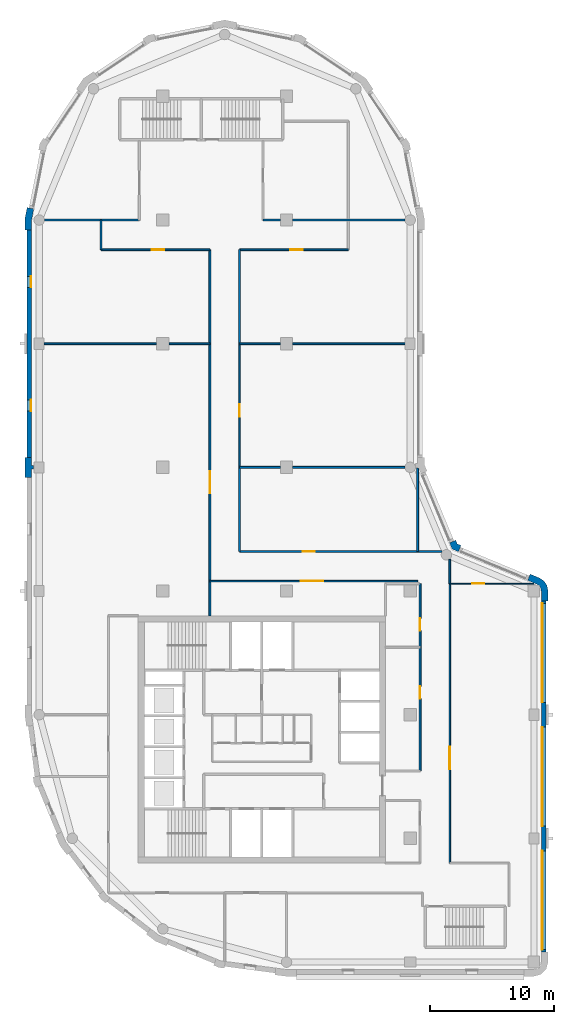
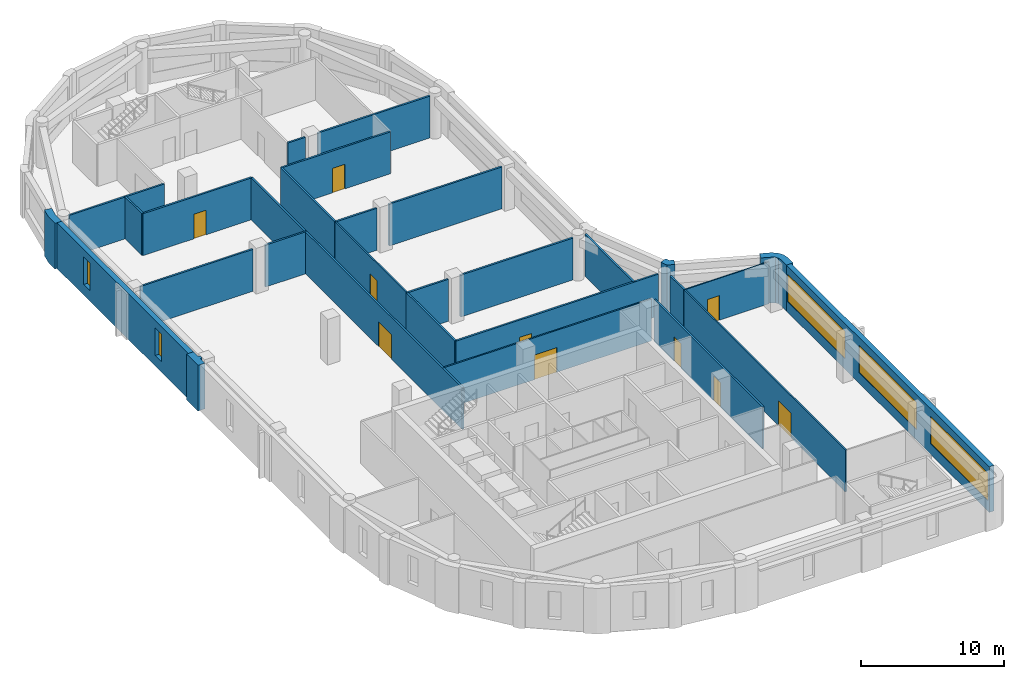
# One storey, part 4 of 8: 29 walls, 10 doors, 5 windows, 15 openings.
"""IFC4 building model written with IfcOpenShell, lengths in metres."""

from ifc_helpers import new_model, si_unit, direction, frame, frame_2d, origin, place, context, subcontext, project, spatial, polyline, rectangle, outline, extrude, material, layer, layer_set, type_object, element, fill, save


model = new_model("IFC4")

# Units and contexts
model_context = context("Model", 3, precision=1e-05, world=origin(), true_north=direction((0.0, 1.0)))
body_context = subcontext(model_context, "Body", "Model", "MODEL_VIEW")
ifc_project = project(units=[si_unit("LENGTHUNIT", "METRE"), si_unit("AREAUNIT", "SQUARE_METRE"), si_unit("VOLUMEUNIT", "CUBIC_METRE"), si_unit("PLANEANGLEUNIT", "RADIAN"), si_unit("MASSUNIT", "GRAM", prefix="KILO")], contexts=[model_context])

# Site, building, storey
site_placement = place(None, origin())
site = spatial("IfcSite", under=ifc_project, at=site_placement, CompositionType="ELEMENT")
building_placement = place(site_placement, origin())
building = spatial("IfcBuilding", under=site, at=building_placement, Name="Qaws Garden Tower", CompositionType="ELEMENT")
storey_placement = place(building_placement, frame((0.0, 0.0, 294.300048828125)))
storey = spatial("IfcBuildingStorey", under=building, at=storey_placement, Name="L71", CompositionType="ELEMENT", Elevation=294.300048828125)

# Wall
ifc_material_1 = material(Name="Clay facing brick masonry", Category="masonry")
ifc_layer_1 = layer(ifc_material_1, 0.550048828125)
ifc_layer_set_1 = layer_set([ifc_layer_1], Name="Clay facing brick masonry")
wall_type_1 = type_object("IfcWallType", Name="Brick corner pier 550 x 2400", PredefinedType="SOLIDWALL", material=ifc_layer_set_1)
placement = place(storey_placement, origin())
element("IfcWall", 1, at=placement, inside=storey, type_object=wall_type_1, Name="E-L71-pier-05", PredefinedType="SOLIDWALL", context=body_context, shape_type="SweptSolid", body=[
    extrude(outline(polyline([(41.0, 29.199951171875), (41.14990234375, 29.199951171875), (41.14990234375, 30.0), (41.0625, 30.440185546875), (40.813232421875, 30.813232421875), (40.440185546875, 31.0625), (39.700927734375, 31.36865234375), (39.6435546875, 31.22998046875), (39.490478515625, 30.860595703125), (40.2294921875, 30.554443359375), (40.42431640625, 30.42431640625), (40.554443359375, 30.2294921875), (40.60009765625, 30.0), (40.60009765625, 29.199951171875), (41.0, 29.199951171875)])), origin(), (0.0, 0.0, 1.0), 3.89990234375),
])

# Wall, openings, windows
ifc_material_2 = material(Name="Clay facing brick masonry", Category="masonry")
ifc_layer_2 = layer(ifc_material_2, 0.39990234375)
ifc_layer_set_2 = layer_set([ifc_layer_2], Name="Clay facing brick masonry")
wall_type_2 = type_object("IfcWallType", Name="Brick infill wall 400", PredefinedType="SOLIDWALL", material=ifc_layer_set_2)
wall_2_placement = place(storey_placement, frame((40.800048828125, 0.800048828125, 0.0), z_axis=(0.0, 0.0, 1.0), x_axis=(0.0, 1.0, 0.0)))
wall_2 = element("IfcWall", 2, at=wall_2_placement, inside=storey, type_object=wall_type_2, Name="E-L71-infill-02", PredefinedType="SOLIDWALL", context=body_context, shape_type="SweptSolid", body=[
    extrude(rectangle(XDim=28.39990234375, YDim=0.39990234375, at=frame_2d((14.199951171875, 0.0))), origin(), (0.0, 0.0, 1.0), 3.89990234375),
])
opening_1_placement = place(wall_2_placement, frame((0.199951171875, 0.0, 0.89990234375)))
opening_1 = element("IfcOpeningElement", 3, at=opening_1_placement, cuts=wall_2, Name="Opening W01", PredefinedType="OPENING", context=body_context, shape_type="SweptSolid", body=[
    extrude(rectangle(XDim=8.0, YDim=2.35009765625, at=frame_2d((4.0, 1.175048828125))), frame((0.0, 0.2099609375, 0.0), z_axis=(0.0, -1.0, 0.0), x_axis=(1.0, 0.0, 0.0)), (0.0, 0.0, 1.0), 0.419921875),
])
opening_2_placement = place(wall_2_placement, frame((10.199951171875, 0.0, 0.89990234375)))
opening_2 = element("IfcOpeningElement", 4, at=opening_2_placement, cuts=wall_2, Name="Opening W01", PredefinedType="OPENING", context=body_context, shape_type="SweptSolid", body=[
    extrude(rectangle(XDim=8.0, YDim=2.35009765625, at=frame_2d((4.0, 1.175048828125))), frame((0.0, 0.2099609375, 0.0), z_axis=(0.0, -1.0, 0.0), x_axis=(1.0, 0.0, 0.0)), (0.0, 0.0, 1.0), 0.419921875),
])
opening_3_placement = place(wall_2_placement, frame((20.199951171875, 0.0, 0.89990234375)))
opening_3 = element("IfcOpeningElement", 5, at=opening_3_placement, cuts=wall_2, Name="Opening W01", PredefinedType="OPENING", context=body_context, shape_type="SweptSolid", body=[
    extrude(rectangle(XDim=8.0, YDim=2.35009765625, at=frame_2d((4.0, 1.175048828125))), frame((0.0, 0.2099609375, 0.0), z_axis=(0.0, -1.0, 0.0), x_axis=(1.0, 0.0, 0.0)), (0.0, 0.0, 1.0), 0.419921875),
])
ifc_material_3 = material(Name="Aluminium framed window, clear glazing", Category="aluminium")
window_type_1 = type_object("IfcWindowType", Name="Ribbon window 8000 x 2350", PartitioningType="DOUBLE_PANEL_VERTICAL", PredefinedType="WINDOW", material=ifc_material_3)
window_1_placement = place(opening_1_placement, origin())
window_1 = element("IfcWindow", 6, at=window_1_placement, inside=storey, type_object=window_type_1, Name="E-L71-window-02-0", OverallHeight=2.35009765625, OverallWidth=8.0, PartitioningType="SINGLE_PANEL", PredefinedType="WINDOW", context=body_context, shape_type="SweptSolid", body=[
    extrude(rectangle(XDim=8.0, YDim=2.35009765625, at=frame_2d((4.0, 1.175048828125))), frame((0.0, 0.159912109375, 0.0), z_axis=(0.0, -1.0, 0.0), x_axis=(1.0, 0.0, 0.0)), (0.0, 0.0, 1.0), 0.06005859375),
])
fill(opening_1, window_1)
window_2_placement = place(opening_2_placement, origin())
window_2 = element("IfcWindow", 7, at=window_2_placement, inside=storey, type_object=window_type_1, Name="E-L71-window-03-0", OverallHeight=2.35009765625, OverallWidth=8.0, PartitioningType="SINGLE_PANEL", PredefinedType="WINDOW", context=body_context, shape_type="SweptSolid", body=[
    extrude(rectangle(XDim=8.0, YDim=2.35009765625, at=frame_2d((4.0, 1.175048828125))), frame((0.0, 0.159912109375, 0.0), z_axis=(0.0, -1.0, 0.0), x_axis=(1.0, 0.0, 0.0)), (0.0, 0.0, 1.0), 0.06005859375),
])
fill(opening_2, window_2)
window_3_placement = place(opening_3_placement, origin())
window_3 = element("IfcWindow", 8, at=window_3_placement, inside=storey, type_object=window_type_1, Name="E-L71-window-04-0", OverallHeight=2.35009765625, OverallWidth=8.0, PartitioningType="SINGLE_PANEL", PredefinedType="WINDOW", context=body_context, shape_type="SweptSolid", body=[
    extrude(rectangle(XDim=8.0, YDim=2.35009765625, at=frame_2d((4.0, 1.175048828125))), frame((0.0, 0.159912109375, 0.0), z_axis=(0.0, -1.0, 0.0), x_axis=(1.0, 0.0, 0.0)), (0.0, 0.0, 1.0), 0.06005859375),
])
fill(opening_3, window_3)

wall_3_placement = place(storey_placement, frame((-0.800048828125, 59.199951171875, 0.0), z_axis=(0.0, 0.0, 1.0), x_axis=(0.0, -1.0, 0.0)))
wall_3 = element("IfcWall", 9, at=wall_3_placement, inside=storey, type_object=wall_type_2, Name="E-L71-infill-17", PredefinedType="SOLIDWALL", context=body_context, shape_type="SweptSolid", body=[
    extrude(rectangle(XDim=18.39990234375, YDim=0.39990234375, at=frame_2d((9.199951171875, 0.0))), origin(), (0.0, 0.0, 1.0), 3.89990234375),
])
opening_4_placement = place(wall_3_placement, frame((3.75, 0.0, 0.89990234375)))
opening_4 = element("IfcOpeningElement", 10, at=opening_4_placement, cuts=wall_3, Name="Opening W09", PredefinedType="OPENING", context=body_context, shape_type="SweptSolid", body=[
    extrude(rectangle(XDim=0.89990234375, YDim=2.35009765625, at=frame_2d((0.449951171875, 1.175048828125))), frame((0.0, 0.2099609375, 0.0), z_axis=(0.0, -1.0, 0.0), x_axis=(1.0, 0.0, 0.0)), (0.0, 0.0, 1.0), 0.419921875),
])
opening_5_placement = place(wall_3_placement, frame((13.75, 0.0, 0.89990234375)))
opening_5 = element("IfcOpeningElement", 11, at=opening_5_placement, cuts=wall_3, Name="Opening W09", PredefinedType="OPENING", context=body_context, shape_type="SweptSolid", body=[
    extrude(rectangle(XDim=0.89990234375, YDim=2.35009765625, at=frame_2d((0.449951171875, 1.175048828125))), frame((0.0, 0.2099609375, 0.0), z_axis=(0.0, -1.0, 0.0), x_axis=(1.0, 0.0, 0.0)), (0.0, 0.0, 1.0), 0.419921875),
])
ifc_material_4 = material(Name="Aluminium framed window, clear glazing", Category="aluminium")
window_type_2 = type_object("IfcWindowType", Name="Slit window 900 x 2350", PartitioningType="SINGLE_PANEL", PredefinedType="WINDOW", material=ifc_material_4)
window_4_placement = place(opening_4_placement, origin())
window_4 = element("IfcWindow", 12, at=window_4_placement, inside=storey, type_object=window_type_2, Name="E-L71-window-17-0", OverallHeight=2.35009765625, OverallWidth=0.89990234375, PartitioningType="SINGLE_PANEL", PredefinedType="WINDOW", context=body_context, shape_type="SweptSolid", body=[
    extrude(rectangle(XDim=0.89990234375, YDim=2.35009765625, at=frame_2d((0.449951171875, 1.175048828125))), frame((0.0, 0.159912109375, 0.0), z_axis=(0.0, -1.0, 0.0), x_axis=(1.0, 0.0, 0.0)), (0.0, 0.0, 1.0), 0.06005859375),
])
fill(opening_4, window_4)
window_5_placement = place(opening_5_placement, origin())
window_5 = element("IfcWindow", 13, at=window_5_placement, inside=storey, type_object=window_type_2, Name="E-L71-window-18-0", OverallHeight=2.35009765625, OverallWidth=0.89990234375, PartitioningType="SINGLE_PANEL", PredefinedType="WINDOW", context=body_context, shape_type="SweptSolid", body=[
    extrude(rectangle(XDim=0.89990234375, YDim=2.35009765625, at=frame_2d((0.449951171875, 1.175048828125))), frame((0.0, 0.159912109375, 0.0), z_axis=(0.0, -1.0, 0.0), x_axis=(1.0, 0.0, 0.0)), (0.0, 0.0, 1.0), 0.06005859375),
])
fill(opening_5, window_5)

# Walls
ifc_material_5 = material(Name="Clay facing brick masonry", Category="masonry")
ifc_layer_3 = layer(ifc_material_5, 0.550048828125)
ifc_layer_set_3 = layer_set([ifc_layer_3], Name="Clay facing brick masonry")
wall_type_3 = type_object("IfcWallType", Name="Brick pier 550 x 1600", PredefinedType="SOLIDWALL", material=ifc_layer_set_3)
element("IfcWall", 14, at=placement, inside=storey, type_object=wall_type_3, Name="E-L71-pier-06", PredefinedType="SOLIDWALL", context=body_context, shape_type="SweptSolid", body=[
    extrude(outline(polyline([(34.05078125, 33.546630859375), (34.108154296875, 33.685302734375), (33.80908203125, 33.80908203125), (33.685302734375, 34.108154296875), (33.546630859375, 34.05078125), (33.177001953125, 33.897705078125), (33.38818359375, 33.38818359375), (33.897705078125, 33.177001953125), (34.05078125, 33.546630859375)])), origin(), (0.0, 0.0, 1.0), 3.89990234375),
])
element("IfcWall", 15, at=placement, inside=storey, type_object=wall_type_3, Name="E-L71-pier-17", PredefinedType="SOLIDWALL", context=body_context, shape_type="SweptSolid", body=[
    extrude(outline(polyline([(-0.82470703125, 60.979736328125), (-0.971923828125, 61.009033203125), (-1.14990234375, 60.11328125), (-1.14990234375, 59.199951171875), (-1.0, 59.199951171875), (-0.60009765625, 59.199951171875), (-0.60009765625, 60.05908203125), (-0.432373046875, 60.901611328125), (-0.82470703125, 60.979736328125)])), origin(), (0.0, 0.0, 1.0), 3.89990234375),
])
element("IfcWall", 16, at=placement, inside=storey, type_object=wall_type_3, Name="E-L71-pier-19", PredefinedType="SOLIDWALL", context=body_context, shape_type="SweptSolid", body=[
    extrude(outline(polyline([(-0.60009765625, 39.199951171875), (-0.60009765625, 39.85009765625), (-0.449951171875, 39.85009765625), (-0.449951171875, 40.14990234375), (-0.60009765625, 40.14990234375), (-0.60009765625, 40.800048828125), (-1.0, 40.800048828125), (-1.14990234375, 40.800048828125), (-1.14990234375, 40.0), (-1.14990234375, 39.199951171875), (-1.0, 39.199951171875), (-0.60009765625, 39.199951171875)])), origin(), (0.0, 0.0, 1.0), 3.89990234375),
])

# Wall, opening, door
ifc_material_6 = material(Name="Glass and aluminium framing", Category="aluminium")
ifc_layer_4 = layer(ifc_material_6, 0.1201171875)
ifc_layer_set_4 = layer_set([ifc_layer_4], Name="Glass and aluminium framing")
wall_type_4 = type_object("IfcWallType", Name="GLAZED PARTITION 120 EI 30", PredefinedType="PARTITIONING", material=ifc_layer_set_4)
wall_7_placement = place(storey_placement, frame((16.199951171875, 40.0, 0.0), z_axis=(0.0, 0.0, 1.0), x_axis=(0.0, 1.0, 0.0)))
wall_7 = element("IfcWall", 17, at=wall_7_placement, inside=storey, type_object=wall_type_4, Name="O-L71-wall-036", PredefinedType="PARTITIONING", context=body_context, shape_type="SweptSolid", body=[
    extrude(rectangle(XDim=10.0, YDim=0.1201171875, at=frame_2d((5.0, 0.0))), origin(), (0.0, 0.0, 1.0), 3.579833984375),
])
opening_6_placement = place(wall_7_placement, frame((4.10009765625, 0.0, 0.0)))
opening_6 = element("IfcOpeningElement", 18, at=opening_6_placement, cuts=wall_7, Name="Opening C604", PredefinedType="OPENING", context=body_context, shape_type="SweptSolid", body=[
    extrude(rectangle(XDim=1.0, YDim=2.10009765625, at=frame_2d((0.5, 1.050048828125))), frame((0.0, 0.070068359375, 0.0), z_axis=(0.0, -1.0, 0.0), x_axis=(1.0, 0.0, 0.0)), (0.0, 0.0, 1.0), 0.14013671875),
])
ifc_material_7 = material(Name="Timber door leaf", Category="wood")
door_type_1 = type_object("IfcDoorType", Name="TENANCY ENTRANCE DOOR 1000 X 2100", OperationType="SINGLE_SWING_LEFT", PredefinedType="DOOR", material=ifc_material_7)
door_1_placement = place(opening_6_placement, frame((1.0, 0.0, 0.0), z_axis=(0.0, 0.0, 1.0), x_axis=(-1.0, 0.0, 0.0)))
door_1 = element("IfcDoor", 19, at=door_1_placement, inside=storey, type_object=door_type_1, Name="O-L71-door-004", OperationType="SINGLE_SWING_RIGHT", OverallHeight=2.10009765625, OverallWidth=1.0, PredefinedType="DOOR", context=body_context, shape_type="SweptSolid", body=[
    extrude(rectangle(XDim=1.0, YDim=2.10009765625, at=frame_2d((0.5, 1.050048828125))), frame((0.0, 0.02490234375, 0.0), z_axis=(0.0, -1.0, 0.0), x_axis=(1.0, 0.0, 0.0)), (0.0, 0.0, 1.0), 0.050048828125),
])
fill(opening_6, door_1)

wall_8_placement = place(storey_placement, frame((33.199951171875, 8.0, 0.0), z_axis=(0.0, 0.0, 1.0), x_axis=(0.0, 1.0, 0.0)))
wall_8 = element("IfcWall", 20, at=wall_8_placement, inside=storey, type_object=wall_type_4, Name="O-L71-wall-039", PredefinedType="PARTITIONING", context=body_context, shape_type="SweptSolid", body=[
    extrude(rectangle(XDim=22.60009765625, YDim=0.1201171875, at=frame_2d((11.300048828125, 0.0))), origin(), (0.0, 0.0, 1.0), 3.579833984375),
])
opening_7_placement = place(wall_8_placement, frame((7.60009765625, 0.0, 0.0)))
opening_7 = element("IfcOpeningElement", 21, at=opening_7_placement, cuts=wall_8, Name="Opening C613", PredefinedType="OPENING", context=body_context, shape_type="SweptSolid", body=[
    extrude(rectangle(XDim=1.800048828125, YDim=2.10009765625, at=frame_2d((0.89990234375, 1.050048828125))), frame((0.0, 0.070068359375, 0.0), z_axis=(0.0, -1.0, 0.0), x_axis=(1.0, 0.0, 0.0)), (0.0, 0.0, 1.0), 0.14013671875),
])
ifc_material_8 = material(Name="Timber door leaf", Category="wood")
door_type_2 = type_object("IfcDoorType", Name="DOUBLE DOOR 1800 X 2100", OperationType="DOUBLE_DOOR_SINGLE_SWING", PredefinedType="DOOR", material=ifc_material_8)
door_2_placement = place(opening_7_placement, frame((1.800048828125, 0.0, 0.0), z_axis=(0.0, 0.0, 1.0), x_axis=(-1.0, 0.0, 0.0)))
door_2 = element("IfcDoor", 22, at=door_2_placement, inside=storey, type_object=door_type_2, Name="O-L71-door-013", OperationType="DOUBLE_DOOR_SINGLE_SWING", OverallHeight=2.10009765625, OverallWidth=1.800048828125, PredefinedType="DOOR", context=body_context, shape_type="SweptSolid", body=[
    extrude(rectangle(XDim=1.800048828125, YDim=2.10009765625, at=frame_2d((0.89990234375, 1.050048828125))), frame((0.0, 0.02490234375, 0.0), z_axis=(0.0, -1.0, 0.0), x_axis=(1.0, 0.0, 0.0)), (0.0, 0.0, 1.0), 0.050048828125),
])
fill(opening_7, door_2)

wall_9_placement = place(storey_placement, frame((13.802001953125, 30.800048828125, 0.0), z_axis=(0.0, 0.0, 1.0), x_axis=(1.0, 0.0, 0.0)))
wall_9 = element("IfcWall", 23, at=wall_9_placement, inside=storey, type_object=wall_type_4, Name="O-L71-wall-046", PredefinedType="PARTITIONING", context=body_context, shape_type="SweptSolid", body=[
    extrude(rectangle(XDim=16.798095703125, YDim=0.1201171875, at=frame_2d((8.39892578125, 0.0))), origin(), (0.0, 0.0, 1.0), 3.579833984375),
])
opening_8_placement = place(wall_9_placement, frame((7.35009765625, 0.0, 0.0)))
opening_8 = element("IfcOpeningElement", 24, at=opening_8_placement, cuts=wall_9, Name="Opening C608", PredefinedType="OPENING", context=body_context, shape_type="SweptSolid", body=[
    extrude(rectangle(XDim=1.800048828125, YDim=2.10009765625, at=frame_2d((0.89990234375, 1.050048828125))), frame((0.0, 0.070068359375, 0.0), z_axis=(0.0, -1.0, 0.0), x_axis=(1.0, 0.0, 0.0)), (0.0, 0.0, 1.0), 0.14013671875),
])
door_3_placement = place(opening_8_placement, frame((1.800048828125, 0.0, 0.0), z_axis=(0.0, 0.0, 1.0), x_axis=(-1.0, 0.0, 0.0)))
door_3 = element("IfcDoor", 25, at=door_3_placement, inside=storey, type_object=door_type_2, Name="O-L71-door-008", OperationType="DOUBLE_DOOR_SINGLE_SWING", OverallHeight=2.10009765625, OverallWidth=1.800048828125, PredefinedType="DOOR", context=body_context, shape_type="SweptSolid", body=[
    extrude(rectangle(XDim=1.800048828125, YDim=2.10009765625, at=frame_2d((0.89990234375, 1.050048828125))), frame((0.0, 0.02490234375, 0.0), z_axis=(0.0, -1.0, 0.0), x_axis=(1.0, 0.0, 0.0)), (0.0, 0.0, 1.0), 0.050048828125),
])
fill(opening_8, door_3)

ifc_material_9 = material(Name="Gypsum board partition")
ifc_layer_5 = layer(ifc_material_9, 0.10009765625)
ifc_layer_set_5 = layer_set([ifc_layer_5], Name="Gypsum board partition")
wall_type_5 = type_object("IfcWallType", Name="PARTITION 100", PredefinedType="PARTITIONING", material=ifc_layer_set_5)
wall_10_placement = place(storey_placement, frame((33.199951171875, 30.60009765625, 0.0), z_axis=(0.0, 0.0, 1.0), x_axis=(1.0, 0.0, 0.0)))
wall_10 = element("IfcWall", 26, at=wall_10_placement, inside=storey, type_object=wall_type_5, Name="O-L71-wall-001", PredefinedType="PARTITIONING", context=body_context, shape_type="SweptSolid", body=[
    extrude(rectangle(XDim=6.798583984375, YDim=0.10009765625, at=frame_2d((3.3994140625, 0.0))), origin(), (0.0, 0.0, 1.0), 3.579833984375),
])
opening_9_placement = place(wall_10_placement, frame((1.824951171875, 0.0, 0.0)))
opening_9 = element("IfcOpeningElement", 27, at=opening_9_placement, cuts=wall_10, Name="Opening C617", PredefinedType="OPENING", context=body_context, shape_type="SweptSolid", body=[
    extrude(rectangle(XDim=0.949951171875, YDim=2.10009765625, at=frame_2d((0.47509765625, 1.050048828125))), frame((0.0, 0.06005859375, 0.0), z_axis=(0.0, -1.0, 0.0), x_axis=(1.0, 0.0, 0.0)), (0.0, 0.0, 1.0), 0.1201171875),
])
ifc_material_10 = material(Name="Timber and glass door leaf", Category="wood")
door_type_3 = type_object("IfcDoorType", Name="GLAZED DOOR 950 X 2100", OperationType="SINGLE_SWING_LEFT", PredefinedType="DOOR", material=ifc_material_10)
door_4_placement = place(opening_9_placement, origin())
door_4 = element("IfcDoor", 28, at=door_4_placement, inside=storey, type_object=door_type_3, Name="O-L71-door-017", OperationType="SINGLE_SWING_LEFT", OverallHeight=2.10009765625, OverallWidth=0.949951171875, PredefinedType="DOOR", context=body_context, shape_type="SweptSolid", body=[
    extrude(rectangle(XDim=0.949951171875, YDim=2.10009765625, at=frame_2d((0.47509765625, 1.050048828125))), frame((0.0, 0.02490234375, 0.0), z_axis=(0.0, -1.0, 0.0), x_axis=(1.0, 0.0, 0.0)), (0.0, 0.0, 1.0), 0.050048828125),
])
fill(opening_9, door_4)

# Wall
ifc_material_11 = material(Name="Gypsum board partition")
ifc_layer_6 = layer(ifc_material_11, 0.14990234375)
ifc_layer_set_6 = layer_set([ifc_layer_6], Name="Gypsum board partition")
wall_type_6 = type_object("IfcWallType", Name="PARTITION 150 EI 60", PredefinedType="PARTITIONING", material=ifc_layer_set_6)
wall_11_placement = place(storey_placement, frame((5.0, 57.60009765625, 0.0), z_axis=(0.0, 0.0, 1.0), x_axis=(0.0, 1.0, 0.0)))
element("IfcWall", 29, at=wall_11_placement, inside=storey, type_object=wall_type_6, Name="O-L71-wall-002", PredefinedType="PARTITIONING", context=body_context, shape_type="SweptSolid", body=[
    extrude(rectangle(XDim=2.39990234375, YDim=0.14990234375, at=frame_2d((1.199951171875, 0.0))), origin(), (0.0, 0.0, 1.0), 3.579833984375),
])

# Wall, opening, door
wall_12_placement = place(storey_placement, frame((13.800048828125, 28.0, 0.0), z_axis=(0.0, 0.0, 1.0), x_axis=(0.0, 1.0, 0.0)))
wall_12 = element("IfcWall", 30, at=wall_12_placement, inside=storey, type_object=wall_type_6, Name="O-L71-wall-005", PredefinedType="PARTITIONING", context=body_context, shape_type="SweptSolid", body=[
    extrude(rectangle(XDim=29.60009765625, YDim=0.14990234375, at=frame_2d((14.800048828125, 0.0))), origin(), (0.0, 0.0, 1.0), 3.579833984375),
])
opening_10_placement = place(wall_12_placement, frame((9.90087890625, 0.0, 0.0)))
opening_10 = element("IfcOpeningElement", 31, at=opening_10_placement, cuts=wall_12, Name="Opening C615", PredefinedType="OPENING", context=body_context, shape_type="SweptSolid", body=[
    extrude(rectangle(XDim=1.800048828125, YDim=2.10009765625, at=frame_2d((0.89990234375, 1.050048828125))), frame((0.0, 0.0849609375, 0.0), z_axis=(0.0, -1.0, 0.0), x_axis=(1.0, 0.0, 0.0)), (0.0, 0.0, 1.0), 0.169921875),
])
door_5_placement = place(opening_10_placement, origin())
door_5 = element("IfcDoor", 32, at=door_5_placement, inside=storey, type_object=door_type_2, Name="O-L71-door-015", OperationType="DOUBLE_DOOR_SINGLE_SWING", OverallHeight=2.10009765625, OverallWidth=1.800048828125, PredefinedType="DOOR", context=body_context, shape_type="SweptSolid", body=[
    extrude(rectangle(XDim=1.800048828125, YDim=2.10009765625, at=frame_2d((0.89990234375, 1.050048828125))), frame((0.0, 0.02490234375, 0.0), z_axis=(0.0, -1.0, 0.0), x_axis=(1.0, 0.0, 0.0)), (0.0, 0.0, 1.0), 0.050048828125),
])
fill(opening_10, door_5)

# Walls
wall_13_placement = place(storey_placement, frame((16.199951171875, 33.199951171875, 0.0), z_axis=(0.0, 0.0, 1.0), x_axis=(0.0, 1.0, 0.0)))
element("IfcWall", 33, at=wall_13_placement, inside=storey, type_object=wall_type_6, Name="O-L71-wall-007", PredefinedType="PARTITIONING", context=body_context, shape_type="SweptSolid", body=[
    extrude(rectangle(XDim=6.800048828125, YDim=0.14990234375, at=frame_2d((3.39990234375, 0.0))), origin(), (0.0, 0.0, 1.0), 3.579833984375),
])
wall_14_placement = place(storey_placement, frame((16.199951171875, 50.0, 0.0), z_axis=(0.0, 0.0, 1.0), x_axis=(0.0, 1.0, 0.0)))
element("IfcWall", 34, at=wall_14_placement, inside=storey, type_object=wall_type_6, Name="O-L71-wall-008", PredefinedType="PARTITIONING", context=body_context, shape_type="SweptSolid", body=[
    extrude(rectangle(XDim=7.60009765625, YDim=0.14990234375, at=frame_2d((3.800048828125, 0.0))), origin(), (0.0, 0.0, 1.0), 3.579833984375),
])
wall_15_placement = place(storey_placement, frame((30.60009765625, 33.199951171875, 0.0), z_axis=(0.0, 0.0, 1.0), x_axis=(0.0, 1.0, 0.0)))
element("IfcWall", 35, at=wall_15_placement, inside=storey, type_object=wall_type_6, Name="O-L71-wall-013", PredefinedType="PARTITIONING", context=body_context, shape_type="SweptSolid", body=[
    extrude(rectangle(XDim=6.73828125, YDim=0.14990234375, at=frame_2d((3.369140625, 0.0))), origin(), (0.0, 0.0, 1.0), 3.579833984375),
])

# Wall, openings, doors
wall_16_placement = place(storey_placement, frame((30.800048828125, 15.449951171875, 0.0), z_axis=(0.0, 0.0, 1.0), x_axis=(0.0, 1.0, 0.0)))
wall_16 = element("IfcWall", 36, at=wall_16_placement, inside=storey, type_object=wall_type_6, Name="O-L71-wall-014", PredefinedType="PARTITIONING", context=body_context, shape_type="SweptSolid", body=[
    extrude(rectangle(XDim=15.150146484375, YDim=0.14990234375, at=frame_2d((7.5751953125, 0.0))), origin(), (0.0, 0.0, 1.0), 3.579833984375),
])
opening_11_placement = place(wall_16_placement, frame((5.85009765625, 0.0, 0.0)))
opening_11 = element("IfcOpeningElement", 37, at=opening_11_placement, cuts=wall_16, Name="Opening C611", PredefinedType="OPENING", context=body_context, shape_type="SweptSolid", body=[
    extrude(rectangle(XDim=1.0, YDim=2.10009765625, at=frame_2d((0.5, 1.050048828125))), frame((0.0, 0.0849609375, 0.0), z_axis=(0.0, -1.0, 0.0), x_axis=(1.0, 0.0, 0.0)), (0.0, 0.0, 1.0), 0.169921875),
])
opening_12_placement = place(wall_16_placement, frame((11.35009765625, 0.0, 0.0)))
opening_12 = element("IfcOpeningElement", 38, at=opening_12_placement, cuts=wall_16, Name="Opening C612", PredefinedType="OPENING", context=body_context, shape_type="SweptSolid", body=[
    extrude(rectangle(XDim=1.0, YDim=2.10009765625, at=frame_2d((0.5, 1.050048828125))), frame((0.0, 0.0849609375, 0.0), z_axis=(0.0, -1.0, 0.0), x_axis=(1.0, 0.0, 0.0)), (0.0, 0.0, 1.0), 0.169921875),
])
door_6_placement = place(opening_11_placement, origin())
door_6 = element("IfcDoor", 39, at=door_6_placement, inside=storey, type_object=door_type_1, Name="O-L71-door-011", OperationType="SINGLE_SWING_RIGHT", OverallHeight=2.10009765625, OverallWidth=1.0, PredefinedType="DOOR", context=body_context, shape_type="SweptSolid", body=[
    extrude(rectangle(XDim=1.0, YDim=2.10009765625, at=frame_2d((0.5, 1.050048828125))), frame((0.0, 0.02490234375, 0.0), z_axis=(0.0, -1.0, 0.0), x_axis=(1.0, 0.0, 0.0)), (0.0, 0.0, 1.0), 0.050048828125),
])
fill(opening_11, door_6)
door_7_placement = place(opening_12_placement, origin())
door_7 = element("IfcDoor", 40, at=door_7_placement, inside=storey, type_object=door_type_1, Name="O-L71-door-012", OperationType="SINGLE_SWING_LEFT", OverallHeight=2.10009765625, OverallWidth=1.0, PredefinedType="DOOR", context=body_context, shape_type="SweptSolid", body=[
    extrude(rectangle(XDim=1.0, YDim=2.10009765625, at=frame_2d((0.5, 1.050048828125))), frame((0.0, 0.02490234375, 0.0), z_axis=(0.0, -1.0, 0.0), x_axis=(1.0, 0.0, 0.0)), (0.0, 0.0, 1.0), 0.050048828125),
])
fill(opening_12, door_7)

# Wall
wall_17_placement = place(storey_placement, frame((33.199951171875, 30.60009765625, 0.0), z_axis=(0.0, 0.0, 1.0), x_axis=(0.0, 1.0, 0.0)))
element("IfcWall", 41, at=wall_17_placement, inside=storey, type_object=wall_type_6, Name="O-L71-wall-015", PredefinedType="PARTITIONING", context=body_context, shape_type="SweptSolid", body=[
    extrude(rectangle(XDim=1.951904296875, YDim=0.14990234375, at=frame_2d((0.97607421875, 0.0))), origin(), (0.0, 0.0, 1.0), 3.579833984375),
])

# Wall, opening, door
wall_18_placement = place(storey_placement, frame((16.199951171875, 33.199951171875, 0.0), z_axis=(0.0, 0.0, 1.0), x_axis=(1.0, 0.0, 0.0)))
wall_18 = element("IfcWall", 42, at=wall_18_placement, inside=storey, type_object=wall_type_6, Name="O-L71-wall-023", PredefinedType="PARTITIONING", context=body_context, shape_type="SweptSolid", body=[
    extrude(rectangle(XDim=16.35205078125, YDim=0.14990234375, at=frame_2d((8.176025390625, 0.0))), origin(), (0.0, 0.0, 1.0), 3.579833984375),
])
opening_13_placement = place(wall_18_placement, frame((5.10009765625, 0.0, 0.0)))
opening_13 = element("IfcOpeningElement", 43, at=opening_13_placement, cuts=wall_18, Name="Opening C603", PredefinedType="OPENING", context=body_context, shape_type="SweptSolid", body=[
    extrude(rectangle(XDim=1.0, YDim=2.10009765625, at=frame_2d((0.5, 1.050048828125))), frame((0.0, 0.0849609375, 0.0), z_axis=(0.0, -1.0, 0.0), x_axis=(1.0, 0.0, 0.0)), (0.0, 0.0, 1.0), 0.169921875),
])
door_8_placement = place(opening_13_placement, origin())
door_8 = element("IfcDoor", 44, at=door_8_placement, inside=storey, type_object=door_type_1, Name="O-L71-door-003", OperationType="SINGLE_SWING_RIGHT", OverallHeight=2.10009765625, OverallWidth=1.0, PredefinedType="DOOR", context=body_context, shape_type="SweptSolid", body=[
    extrude(rectangle(XDim=1.0, YDim=2.10009765625, at=frame_2d((0.5, 1.050048828125))), frame((0.0, 0.02490234375, 0.0), z_axis=(0.0, -1.0, 0.0), x_axis=(1.0, 0.0, 0.0)), (0.0, 0.0, 1.0), 0.050048828125),
])
fill(opening_13, door_8)

# Walls
wall_19_placement = place(storey_placement, frame((16.199951171875, 40.0, 0.0), z_axis=(0.0, 0.0, 1.0), x_axis=(1.0, 0.0, 0.0)))
element("IfcWall", 45, at=wall_19_placement, inside=storey, type_object=wall_type_6, Name="O-L71-wall-024", PredefinedType="PARTITIONING", context=body_context, shape_type="SweptSolid", body=[
    extrude(rectangle(XDim=3.300048828125, YDim=0.14990234375, at=frame_2d((1.64990234375, 0.0))), origin(), (0.0, 0.0, 1.0), 3.579833984375),
])
wall_20_placement = place(storey_placement, frame((20.5, 40.0, 0.0), z_axis=(0.0, 0.0, 1.0), x_axis=(1.0, 0.0, 0.0)))
element("IfcWall", 46, at=wall_20_placement, inside=storey, type_object=wall_type_6, Name="O-L71-wall-025", PredefinedType="PARTITIONING", context=body_context, shape_type="SweptSolid", body=[
    extrude(rectangle(XDim=9.074951171875, YDim=0.14990234375, at=frame_2d((4.53759765625, 0.0))), origin(), (0.0, 0.0, 1.0), 3.579833984375),
])
wall_21_placement = place(storey_placement, frame((0.39990234375, 50.0, 0.0), z_axis=(0.0, 0.0, 1.0), x_axis=(1.0, 0.0, 0.0)))
element("IfcWall", 47, at=wall_21_placement, inside=storey, type_object=wall_type_6, Name="O-L71-wall-026", PredefinedType="PARTITIONING", context=body_context, shape_type="SweptSolid", body=[
    extrude(rectangle(XDim=9.10009765625, YDim=0.14990234375, at=frame_2d((4.550048828125, 0.0))), origin(), (0.0, 0.0, 1.0), 3.579833984375),
])
for number, where, z_axis, x_axis, name in (
    (48, (10.5, 50.0, 0.0), (0.0, 0.0, 1.0), (1.0, 0.0, 0.0), "O-L71-wall-027"),
    (49, (16.199951171875, 50.0, 0.0), (0.0, 0.0, 1.0), (1.0, 0.0, 0.0), "O-L71-wall-028"),
):
    element("IfcWall", number, at=place(storey_placement, frame(where, z_axis=z_axis, x_axis=x_axis)), inside=storey, type_object=wall_type_6, Name=name, PredefinedType="PARTITIONING", context=body_context, shape_type="SweptSolid", body=[
        extrude(rectangle(XDim=3.300048828125, YDim=0.14990234375, at=frame_2d((1.64990234375, 0.0))), origin(), (0.0, 0.0, 1.0), 3.579833984375),
    ])
wall_22_placement = place(storey_placement, frame((20.5, 50.0, 0.0), z_axis=(0.0, 0.0, 1.0), x_axis=(1.0, 0.0, 0.0)))
element("IfcWall", 50, at=wall_22_placement, inside=storey, type_object=wall_type_6, Name="O-L71-wall-029", PredefinedType="PARTITIONING", context=body_context, shape_type="SweptSolid", body=[
    extrude(rectangle(XDim=9.10009765625, YDim=0.14990234375, at=frame_2d((4.550048828125, 0.0))), origin(), (0.0, 0.0, 1.0), 3.579833984375),
])

# Wall, opening, door
wall_23_placement = place(storey_placement, frame((5.0, 57.60009765625, 0.0), z_axis=(0.0, 0.0, 1.0), x_axis=(1.0, 0.0, 0.0)))
wall_23 = element("IfcWall", 51, at=wall_23_placement, inside=storey, type_object=wall_type_6, Name="O-L71-wall-030", PredefinedType="PARTITIONING", context=body_context, shape_type="SweptSolid", body=[
    extrude(rectangle(XDim=8.800048828125, YDim=0.14990234375, at=frame_2d((4.39990234375, 0.0))), origin(), (0.0, 0.0, 1.0), 3.579833984375),
])
opening_14_placement = place(wall_23_placement, frame((4.10009765625, 0.0, 0.0)))
opening_14 = element("IfcOpeningElement", 52, at=opening_14_placement, cuts=wall_23, Name="Opening C616", PredefinedType="OPENING", context=body_context, shape_type="SweptSolid", body=[
    extrude(rectangle(XDim=1.0, YDim=2.10009765625, at=frame_2d((0.5, 1.050048828125))), frame((0.0, 0.0849609375, 0.0), z_axis=(0.0, -1.0, 0.0), x_axis=(1.0, 0.0, 0.0)), (0.0, 0.0, 1.0), 0.169921875),
])
door_9_placement = place(opening_14_placement, frame((1.0, 0.0, 0.0), z_axis=(0.0, 0.0, 1.0), x_axis=(-1.0, 0.0, 0.0)))
door_9 = element("IfcDoor", 53, at=door_9_placement, inside=storey, type_object=door_type_1, Name="O-L71-door-016", OperationType="SINGLE_SWING_LEFT", OverallHeight=2.10009765625, OverallWidth=1.0, PredefinedType="DOOR", context=body_context, shape_type="SweptSolid", body=[
    extrude(rectangle(XDim=1.0, YDim=2.10009765625, at=frame_2d((0.5, 1.050048828125))), frame((0.0, 0.02490234375, 0.0), z_axis=(0.0, -1.0, 0.0), x_axis=(1.0, 0.0, 0.0)), (0.0, 0.0, 1.0), 0.050048828125),
])
fill(opening_14, door_9)

wall_24_placement = place(storey_placement, frame((16.199951171875, 57.60009765625, 0.0), z_axis=(0.0, 0.0, 1.0), x_axis=(1.0, 0.0, 0.0)))
wall_24 = element("IfcWall", 54, at=wall_24_placement, inside=storey, type_object=wall_type_6, Name="O-L71-wall-031", PredefinedType="PARTITIONING", context=body_context, shape_type="SweptSolid", body=[
    extrude(rectangle(XDim=8.800048828125, YDim=0.14990234375, at=frame_2d((4.39990234375, 0.0))), origin(), (0.0, 0.0, 1.0), 3.579833984375),
])
opening_15_placement = place(wall_24_placement, frame((4.10009765625, 0.0, 0.0)))
opening_15 = element("IfcOpeningElement", 55, at=opening_15_placement, cuts=wall_24, Name="Opening C605", PredefinedType="OPENING", context=body_context, shape_type="SweptSolid", body=[
    extrude(rectangle(XDim=1.0, YDim=2.10009765625, at=frame_2d((0.5, 1.050048828125))), frame((0.0, 0.0849609375, 0.0), z_axis=(0.0, -1.0, 0.0), x_axis=(1.0, 0.0, 0.0)), (0.0, 0.0, 1.0), 0.169921875),
])
door_10_placement = place(opening_15_placement, frame((1.0, 0.0, 0.0), z_axis=(0.0, 0.0, 1.0), x_axis=(-1.0, 0.0, 0.0)))
door_10 = element("IfcDoor", 56, at=door_10_placement, inside=storey, type_object=door_type_1, Name="O-L71-door-005", OperationType="SINGLE_SWING_LEFT", OverallHeight=2.10009765625, OverallWidth=1.0, PredefinedType="DOOR", context=body_context, shape_type="SweptSolid", body=[
    extrude(rectangle(XDim=1.0, YDim=2.10009765625, at=frame_2d((0.5, 1.050048828125))), frame((0.0, 0.02490234375, 0.0), z_axis=(0.0, -1.0, 0.0), x_axis=(1.0, 0.0, 0.0)), (0.0, 0.0, 1.0), 0.050048828125),
])
fill(opening_15, door_10)

# Walls
wall_25_placement = place(storey_placement, frame((0.425048828125, 60.0, 0.0), z_axis=(0.0, 0.0, 1.0), x_axis=(1.0, 0.0, 0.0)))
element("IfcWall", 57, at=wall_25_placement, inside=storey, type_object=wall_type_6, Name="O-L71-wall-032", PredefinedType="PARTITIONING", context=body_context, shape_type="SweptSolid", body=[
    extrude(rectangle(XDim=7.675048828125, YDim=0.14990234375, at=frame_2d((3.83740234375, 0.0))), origin(), (0.0, 0.0, 1.0), 3.579833984375),
])
wall_26_placement = place(storey_placement, frame((18.10009765625, 60.0, 0.0), z_axis=(0.0, 0.0, 1.0), x_axis=(1.0, 0.0, 0.0)))
element("IfcWall", 58, at=wall_26_placement, inside=storey, type_object=wall_type_6, Name="O-L71-wall-033", PredefinedType="PARTITIONING", context=body_context, shape_type="SweptSolid", body=[
    extrude(rectangle(XDim=1.39990234375, YDim=0.14990234375, at=frame_2d((0.699951171875, 0.0))), origin(), (0.0, 0.0, 1.0), 3.579833984375),
])
wall_27_placement = place(storey_placement, frame((20.5, 60.0, 0.0), z_axis=(0.0, 0.0, 1.0), x_axis=(1.0, 0.0, 0.0)))
element("IfcWall", 59, at=wall_27_placement, inside=storey, type_object=wall_type_6, Name="O-L71-wall-034", PredefinedType="PARTITIONING", context=body_context, shape_type="SweptSolid", body=[
    extrude(rectangle(XDim=9.074951171875, YDim=0.14990234375, at=frame_2d((4.53759765625, 0.0))), origin(), (0.0, 0.0, 1.0), 3.579833984375),
])

save(model, "model.ifc")
